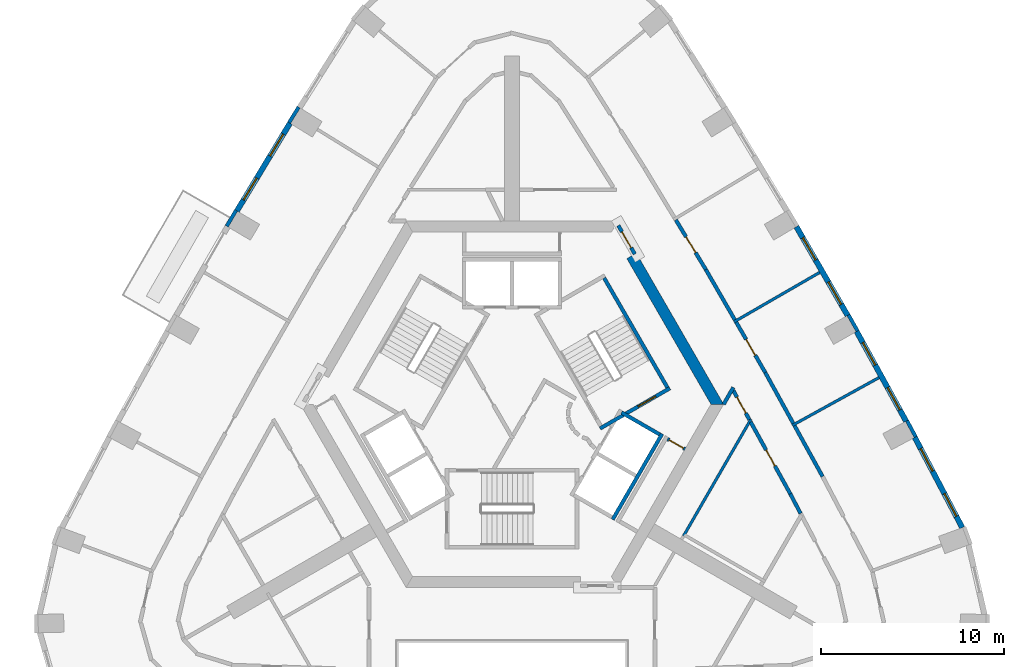
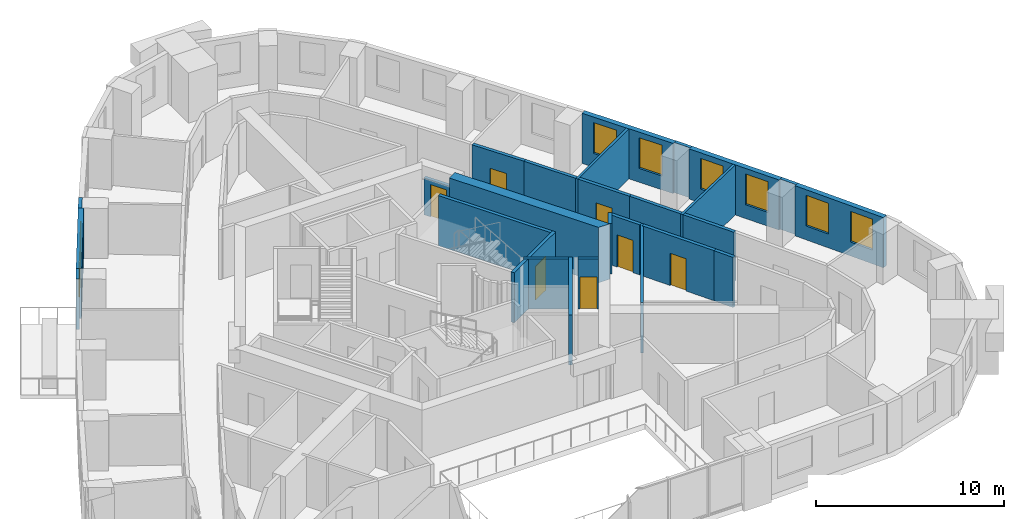
# One storey, part 7 of 11: 27 walls, 8 windows, 7 doors, 15 openings.
"""IFC4 building model written with IfcOpenShell, lengths in metres."""

from ifc_helpers import new_model, si_unit, direction, frame, frame_2d, origin, place, context, subcontext, project, spatial, polyline, rectangle, outline, extrude, material, layer, layer_set, type_object, element, fill, save


model = new_model("IFC4")

# Units and contexts
model_context = context("Model", 3, precision=1e-05, world=origin(), true_north=direction((0.0, 1.0)))
body_context = subcontext(model_context, "Body", "Model", "MODEL_VIEW")
ifc_project = project(units=[si_unit("LENGTHUNIT", "METRE"), si_unit("AREAUNIT", "SQUARE_METRE"), si_unit("VOLUMEUNIT", "CUBIC_METRE"), si_unit("PLANEANGLEUNIT", "RADIAN"), si_unit("MASSUNIT", "GRAM", prefix="KILO")], contexts=[model_context])

# Site, building, storey
site_placement = place(None, origin())
site = spatial("IfcSite", under=ifc_project, at=site_placement, CompositionType="ELEMENT")
building_placement = place(site_placement, origin())
building = spatial("IfcBuilding", under=site, at=building_placement, Name="Entoto Arch Interchange Tower", CompositionType="ELEMENT")
storey_placement = place(building_placement, frame((0.0, 0.0, 248.60009765625)))
storey = spatial("IfcBuildingStorey", under=building, at=storey_placement, Name="L56", CompositionType="ELEMENT", Elevation=248.60009765625)

# Wall, opening, door
ifc_material_1 = material(Name="Reinforced concrete C40/50", Category="concrete")
ifc_layer_1 = layer(ifc_material_1, 0.199951171875)
ifc_layer_set_1 = layer_set([ifc_layer_1], Name="Reinforced concrete C40/50")
wall_type_1 = type_object("IfcWallType", Name="CORE GAP INFILL WALL", PredefinedType="PARTITIONING", material=ifc_layer_set_1)
wall_1_placement = place(storey_placement, frame((6.698974609375, 10.697021484375, 0.0), z_axis=(0.0, 0.0, 1.0), x_axis=(-0.499914839587, 0.866074565589, 0.0)))
wall_1 = element("IfcWall", 1, at=wall_1_placement, inside=storey, type_object=wall_type_1, Name="wall:L56:gap2", PredefinedType="PARTITIONING", context=body_context, shape_type="SweptSolid", body=[
    extrude(rectangle(XDim=1.794189453125, YDim=0.199951171875, at=frame_2d((0.89697265625, 0.0))), origin(), (0.0, 0.0, 1.0), 2.39990234375),
])
opening_1_placement = place(wall_1_placement, frame((0.39697265625, 0.0, 0.0)))
opening_1 = element("IfcOpeningElement", 2, at=opening_1_placement, cuts=wall_1, Name="Opening L56-D92", PredefinedType="OPENING", context=body_context, shape_type="SweptSolid", body=[
    extrude(rectangle(XDim=1.0, YDim=2.10009765625, at=frame_2d((0.5, 1.050048828125))), frame((0.0, 0.10986328125, 0.0), z_axis=(0.0, -1.0, 0.0), x_axis=(1.0, 0.0, 0.0)), (0.0, 0.0, 1.0), 0.219970703125),
])
ifc_material_2 = material(Name="Fire-rated Steel S235 door and frame", Category="steel")
door_type_1 = type_object("IfcDoorType", Name="DOOR FD-10 1000x2100", OperationType="SINGLE_SWING_LEFT", PredefinedType="DOOR", material=ifc_material_2)
door_1_placement = place(opening_1_placement, origin())
door_1 = element("IfcDoor", 3, at=door_1_placement, inside=storey, type_object=door_type_1, Name="door:L56:gap2", OperationType="SINGLE_SWING_LEFT", OverallHeight=2.10009765625, OverallWidth=1.0, PredefinedType="DOOR", context=body_context, shape_type="SweptSolid", body=[
    extrude(rectangle(XDim=1.0, YDim=2.10009765625, at=frame_2d((0.5, 1.050048828125))), frame((0.0, 0.02490234375, 0.0), z_axis=(0.0, -1.0, 0.0), x_axis=(1.0, 0.0, 0.0)), (0.0, 0.0, 1.0), 0.050048828125),
])
fill(opening_1, door_1)

# Walls
ifc_material_3 = material(Name="Concrete C40/50", Category="concrete")
ifc_layer_2 = layer(ifc_material_3, 0.60009765625)
ifc_layer_set_2 = layer_set([ifc_layer_2], Name="Concrete C40/50")
wall_type_2 = type_object("IfcWallType", Name="Core wall 600 C40/50", PredefinedType="SHEAR", material=ifc_layer_set_2)
wall_2_placement = place(storey_placement, frame((0.0, 0.0, -0.340087890625)))
element("IfcWall", 4, at=wall_2_placement, inside=storey, type_object=wall_type_2, Name="Core wall NE L56", PredefinedType="SHEAR", context=body_context, shape_type="SweptSolid", body=[
    extrude(outline(polyline([(6.785888671875, 10.7470703125), (6.26611328125, 10.447021484375), (10.85400390625, 2.5), (11.547119140625, 2.5), (6.785888671875, 10.7470703125)])), origin(), (0.0, 0.0, 1.0), 3.60009765625),
])
ifc_layer_3 = layer(ifc_material_3, 0.199951171875)
ifc_layer_set_3 = layer_set([ifc_layer_3], Name="Concrete C40/50")
wall_type_3 = type_object("IfcWallType", Name="LIFT SHAFT WALL 200", PredefinedType="STANDARD", material=ifc_layer_set_3)
wall_3_placement = place(storey_placement, frame((5.491943359375, -3.7880859375, 0.0), z_axis=(0.0, 0.0, 1.0), x_axis=(0.500034260056, 0.866005622828, 0.0)))
element("IfcWall", 5, at=wall_3_placement, inside=storey, type_object=wall_type_3, Name="Shaft wall SE1 back", PredefinedType="STANDARD", context=body_context, shape_type="SweptSolid", body=[
    extrude(rectangle(XDim=5.3994140625, YDim=0.199951171875, at=frame_2d((2.69970703125, 0.0))), origin(), (0.0, 0.0, 1.0), 3.260009765625),
])
wall_4_placement = place(storey_placement, frame((5.97705078125, 2.052001953125, 0.0), z_axis=(0.0, 0.0, 1.0), x_axis=(0.865973769406, -0.500089422704, 0.0)))
element("IfcWall", 6, at=wall_4_placement, inside=storey, type_object=wall_type_3, Name="Shaft wall SE1 cross 3", PredefinedType="STANDARD", context=body_context, shape_type="SweptSolid", body=[
    extrude(rectangle(XDim=2.3994140625, YDim=0.199951171875, at=frame_2d((1.19970703125, 0.0))), origin(), (0.0, 0.0, 1.0), 3.260009765625),
])
ifc_material_4 = material(Name="Gypsum board partition on steel studs", Category="steel")
ifc_layer_4 = layer(ifc_material_4, 0.14990234375)
ifc_layer_set_4 = layer_set([ifc_layer_4], Name="Gypsum board partition on steel studs")
wall_type_4 = type_object("IfcWallType", Name="PARTITION 150", PredefinedType="PARTITIONING", material=ifc_layer_set_4)
wall_5_placement = place(storey_placement, frame((9.35791015625, -4.69189453125, 0.0), z_axis=(0.0, 0.0, 1.0), x_axis=(0.500027777314, 0.866009365951, 0.0)))
element("IfcWall", 7, at=wall_5_placement, inside=storey, type_object=wall_type_4, Name="wall:L56:p074", PredefinedType="PARTITIONING", context=body_context, shape_type="SweptSolid", body=[
    extrude(rectangle(XDim=7.35986328125, YDim=0.14990234375, at=frame_2d((3.679931640625, 0.0))), origin(), (0.0, 0.0, 1.0), 3.260009765625),
])
wall_6_placement = place(storey_placement, frame((15.294921875, 1.346923828125, 0.0), z_axis=(0.0, 0.0, 1.0), x_axis=(0.875728645362, 0.482803624358, 0.0)))
element("IfcWall", 8, at=wall_6_placement, inside=storey, type_object=wall_type_4, Name="wall:L56:p105", PredefinedType="PARTITIONING", context=body_context, shape_type="SweptSolid", body=[
    extrude(rectangle(XDim=5.400146484375, YDim=0.14990234375, at=frame_2d((2.7001953125, 0.0))), origin(), (0.0, 0.0, 1.0), 3.260009765625),
])
wall_7_placement = place(storey_placement, frame((12.110107421875, 6.991943359375, 0.0), z_axis=(0.0, 0.0, 1.0), x_axis=(0.865994316829, 0.50005384032, 0.0)))
element("IfcWall", 9, at=wall_7_placement, inside=storey, type_object=wall_type_4, Name="wall:L56:p106", PredefinedType="PARTITIONING", context=body_context, shape_type="SweptSolid", body=[
    extrude(rectangle(XDim=5.3994140625, YDim=0.14990234375, at=frame_2d((2.69970703125, 0.0))), origin(), (0.0, 0.0, 1.0), 3.260009765625),
])

# Wall, opening, door
ifc_layer_5 = layer(ifc_material_4, 0.199951171875)
ifc_layer_set_5 = layer_set([ifc_layer_5], Name="Gypsum board partition on steel studs")
wall_type_5 = type_object("IfcWallType", Name="PARTITION 200", PredefinedType="PARTITIONING", material=ifc_layer_set_5)
wall_8_placement = place(storey_placement, frame((12.951904296875, 1.660888671875, 0.0), z_axis=(0.0, 0.0, 1.0), x_axis=(-0.482707835392, 0.875781448566, 0.0)))
wall_8 = element("IfcWall", 10, at=wall_8_placement, inside=storey, type_object=wall_type_5, Name="wall:L56:p004", PredefinedType="PARTITIONING", context=body_context, shape_type="SweptSolid", body=[
    extrude(rectangle(XDim=1.816650390625, YDim=0.199951171875, at=frame_2d((0.908203125, 0.0))), origin(), (0.0, 0.0, 1.0), 3.260009765625),
])
opening_2_placement = place(wall_8_placement, frame((0.407958984375, 0.0, 0.0)))
opening_2 = element("IfcOpeningElement", 11, at=opening_2_placement, cuts=wall_8, Name="Opening L56-D25", PredefinedType="OPENING", context=body_context, shape_type="SweptSolid", body=[
    extrude(rectangle(XDim=1.0, YDim=2.10009765625, at=frame_2d((0.5, 1.050048828125))), frame((0.0, 0.10986328125, 0.0), z_axis=(0.0, -1.0, 0.0), x_axis=(1.0, 0.0, 0.0)), (0.0, 0.0, 1.0), 0.219970703125),
])
ifc_material_5 = material(Name="Timber door leaf in Steel S235 frame", Category="steel")
door_type_2 = type_object("IfcDoorType", Name="DOOR DS-10 1000x2100", OperationType="SINGLE_SWING_LEFT", PredefinedType="DOOR", material=ifc_material_5)
door_2_placement = place(opening_2_placement, origin())
door_2 = element("IfcDoor", 12, at=door_2_placement, inside=storey, type_object=door_type_2, Name="door:L56:25", OperationType="SINGLE_SWING_RIGHT", OverallHeight=2.10009765625, OverallWidth=1.0, PredefinedType="DOOR", context=body_context, shape_type="SweptSolid", body=[
    extrude(rectangle(XDim=1.0, YDim=2.10009765625, at=frame_2d((0.5, 1.050048828125))), frame((0.0, 0.02490234375, 0.0), z_axis=(0.0, -1.0, 0.0), x_axis=(1.0, 0.0, 0.0)), (0.0, 0.0, 1.0), 0.050048828125),
])
fill(opening_2, door_2)

# Walls
wall_9_placement = place(storey_placement, frame((12.0791015625, 3.4189453125, 0.0), z_axis=(0.0, 0.0, 1.0), x_axis=(-0.500674759037, -0.865635480825, 0.0)))
element("IfcWall", 13, at=wall_9_placement, inside=storey, type_object=wall_type_5, Name="wall:L56:p005", PredefinedType="PARTITIONING", context=body_context, shape_type="SweptSolid", body=[
    extrude(rectangle(XDim=1.06494140625, YDim=0.199951171875, at=frame_2d((0.532470703125, 0.0))), origin(), (0.0, 0.0, 1.0), 3.260009765625),
])
wall_10_placement = place(storey_placement, frame((15.74609375, -3.4580078125, 0.0), z_axis=(0.0, 0.0, 1.0), x_axis=(-0.464794189951, 0.885418748948, 0.0)))
element("IfcWall", 14, at=wall_10_placement, inside=storey, type_object=wall_type_5, Name="wall:L56:p014", PredefinedType="PARTITIONING", context=body_context, shape_type="SweptSolid", body=[
    extrude(rectangle(XDim=1.205078125, YDim=0.199951171875, at=frame_2d((0.6025390625, 0.0))), origin(), (0.0, 0.0, 1.0), 3.260009765625),
])

# Wall, opening, door
wall_11_placement = place(storey_placement, frame((15.18603515625, -2.39111328125, 0.0), z_axis=(0.0, 0.0, 1.0), x_axis=(-0.482858240592, 0.875698532311, 0.0)))
wall_11 = element("IfcWall", 15, at=wall_11_placement, inside=storey, type_object=wall_type_5, Name="wall:L56:p015", PredefinedType="PARTITIONING", context=body_context, shape_type="SweptSolid", body=[
    extrude(rectangle(XDim=4.477783203125, YDim=0.199951171875, at=frame_2d((2.23876953125, 0.0))), origin(), (0.0, 0.0, 1.0), 3.260009765625),
])
opening_3_placement = place(wall_11_placement, frame((1.739013671875, 0.0, 0.0)))
opening_3 = element("IfcOpeningElement", 16, at=opening_3_placement, cuts=wall_11, Name="Opening L56-D15", PredefinedType="OPENING", context=body_context, shape_type="SweptSolid", body=[
    extrude(rectangle(XDim=1.0, YDim=2.10009765625, at=frame_2d((0.5, 1.050048828125))), frame((0.0, 0.10986328125, 0.0), z_axis=(0.0, -1.0, 0.0), x_axis=(1.0, 0.0, 0.0)), (0.0, 0.0, 1.0), 0.219970703125),
])
door_3_placement = place(opening_3_placement, origin())
door_3 = element("IfcDoor", 17, at=door_3_placement, inside=storey, type_object=door_type_2, Name="door:L56:15", OperationType="SINGLE_SWING_LEFT", OverallHeight=2.10009765625, OverallWidth=1.0, PredefinedType="DOOR", context=body_context, shape_type="SweptSolid", body=[
    extrude(rectangle(XDim=1.0, YDim=2.10009765625, at=frame_2d((0.5, 1.050048828125))), frame((0.0, 0.02490234375, 0.0), z_axis=(0.0, -1.0, 0.0), x_axis=(1.0, 0.0, 0.0)), (0.0, 0.0, 1.0), 0.050048828125),
])
fill(opening_3, door_3)

# Wall
wall_12_placement = place(storey_placement, frame((15.41796875, 1.330078125, 0.0), z_axis=(0.0, 0.0, 1.0), x_axis=(0.482838875149, -0.875709210095, 0.0)))
element("IfcWall", 18, at=wall_12_placement, inside=storey, type_object=wall_type_5, Name="wall:L56:p039", PredefinedType="PARTITIONING", context=body_context, shape_type="SweptSolid", body=[
    extrude(rectangle(XDim=3.166748046875, YDim=0.199951171875, at=frame_2d((1.58349609375, 0.0))), origin(), (0.0, 0.0, 1.0), 3.260009765625),
])

# Wall, opening, door
wall_13_placement = place(storey_placement, frame((12.23388671875, 6.97705078125, 0.0), z_axis=(0.0, 0.0, 1.0), x_axis=(0.499820325382, -0.866129114125, 0.0)))
wall_13 = element("IfcWall", 19, at=wall_13_placement, inside=storey, type_object=wall_type_5, Name="wall:L56:p041", PredefinedType="PARTITIONING", context=body_context, shape_type="SweptSolid", body=[
    extrude(rectangle(XDim=3.167236328125, YDim=0.199951171875, at=frame_2d((1.58349609375, 0.0))), origin(), (0.0, 0.0, 1.0), 3.260009765625),
])
opening_4_placement = place(wall_13_placement, frame((1.083984375, 0.0, 0.0)))
opening_4 = element("IfcOpeningElement", 20, at=opening_4_placement, cuts=wall_13, Name="Opening L56-D04", PredefinedType="OPENING", context=body_context, shape_type="SweptSolid", body=[
    extrude(rectangle(XDim=1.0, YDim=2.10009765625, at=frame_2d((0.5, 1.050048828125))), frame((0.0, 0.10986328125, 0.0), z_axis=(0.0, -1.0, 0.0), x_axis=(1.0, 0.0, 0.0)), (0.0, 0.0, 1.0), 0.219970703125),
])
door_4_placement = place(opening_4_placement, origin())
door_4 = element("IfcDoor", 21, at=door_4_placement, inside=storey, type_object=door_type_2, Name="door:L56:04", OperationType="SINGLE_SWING_LEFT", OverallHeight=2.10009765625, OverallWidth=1.0, PredefinedType="DOOR", context=body_context, shape_type="SweptSolid", body=[
    extrude(rectangle(XDim=1.0, YDim=2.10009765625, at=frame_2d((0.5, 1.050048828125))), frame((0.0, 0.02490234375, 0.0), z_axis=(0.0, -1.0, 0.0), x_axis=(1.0, 0.0, 0.0)), (0.0, 0.0, 1.0), 0.050048828125),
])
fill(opening_4, door_4)

# Wall
wall_14_placement = place(storey_placement, frame((13.81689453125, 4.23388671875, 0.0), z_axis=(0.0, 0.0, 1.0), x_axis=(0.482871474341, -0.875691235121, 0.0)))
element("IfcWall", 22, at=wall_14_placement, inside=storey, type_object=wall_type_5, Name="wall:L56:p042", PredefinedType="PARTITIONING", context=body_context, shape_type="SweptSolid", body=[
    extrude(rectangle(XDim=3.16650390625, YDim=0.199951171875, at=frame_2d((1.583251953125, 0.0))), origin(), (0.0, 0.0, 1.0), 3.260009765625),
])

# Wall, opening, door
wall_15_placement = place(storey_placement, frame((8.93896484375, 12.55908203125, 0.0), z_axis=(0.0, 0.0, 1.0), x_axis=(0.517045022441, -0.855958202699, 0.0)))
wall_15 = element("IfcWall", 23, at=wall_15_placement, inside=storey, type_object=wall_type_5, Name="wall:L56:p043", PredefinedType="PARTITIONING", context=body_context, shape_type="SweptSolid", body=[
    extrude(rectangle(XDim=3.166015625, YDim=0.199951171875, at=frame_2d((1.5830078125, 0.0))), origin(), (0.0, 0.0, 1.0), 3.260009765625),
])
opening_5_placement = place(wall_15_placement, frame((1.0830078125, 0.0, 0.0)))
opening_5 = element("IfcOpeningElement", 24, at=opening_5_placement, cuts=wall_15, Name="Opening L56-D05", PredefinedType="OPENING", context=body_context, shape_type="SweptSolid", body=[
    extrude(rectangle(XDim=1.0, YDim=2.10009765625, at=frame_2d((0.5, 1.050048828125))), frame((0.0, 0.10986328125, 0.0), z_axis=(0.0, -1.0, 0.0), x_axis=(1.0, 0.0, 0.0)), (0.0, 0.0, 1.0), 0.219970703125),
])
door_5_placement = place(opening_5_placement, origin())
door_5 = element("IfcDoor", 25, at=door_5_placement, inside=storey, type_object=door_type_2, Name="door:L56:05", OperationType="SINGLE_SWING_LEFT", OverallHeight=2.10009765625, OverallWidth=1.0, PredefinedType="DOOR", context=body_context, shape_type="SweptSolid", body=[
    extrude(rectangle(XDim=1.0, YDim=2.10009765625, at=frame_2d((0.5, 1.050048828125))), frame((0.0, 0.02490234375, 0.0), z_axis=(0.0, -1.0, 0.0), x_axis=(1.0, 0.0, 0.0)), (0.0, 0.0, 1.0), 0.050048828125),
])
fill(opening_5, door_5)

# Wall
wall_16_placement = place(storey_placement, frame((10.575927734375, 9.84912109375, 0.0), z_axis=(0.0, 0.0, 1.0), x_axis=(0.499953838557, -0.866052053466, 0.0)))
element("IfcWall", 26, at=wall_16_placement, inside=storey, type_object=wall_type_5, Name="wall:L56:p044", PredefinedType="PARTITIONING", context=body_context, shape_type="SweptSolid", body=[
    extrude(rectangle(XDim=3.166259765625, YDim=0.199951171875, at=frame_2d((1.5830078125, 0.0))), origin(), (0.0, 0.0, 1.0), 3.260009765625),
])

# Wall, opening, door
wall_17_placement = place(storey_placement, frame((8.488037109375, 0.60205078125, 0.0), z_axis=(0.0, 0.0, 1.0), x_axis=(0.866063652425, -0.499933745558, 0.0)))
wall_17 = element("IfcWall", 27, at=wall_17_placement, inside=storey, type_object=wall_type_5, Name="wall:L56:p066", PredefinedType="PARTITIONING", context=body_context, shape_type="SweptSolid", body=[
    extrude(rectangle(XDim=1.100341796875, YDim=0.199951171875, at=frame_2d((0.55029296875, 0.0))), origin(), (0.0, 0.0, 1.0), 3.260009765625),
])
opening_6_placement = place(wall_17_placement, frame((0.10009765625, 0.0, 0.0)))
opening_6 = element("IfcOpeningElement", 28, at=opening_6_placement, cuts=wall_17, Name="Opening L56-D29", PredefinedType="OPENING", context=body_context, shape_type="SweptSolid", body=[
    extrude(rectangle(XDim=0.89990234375, YDim=2.10009765625, at=frame_2d((0.449951171875, 1.050048828125))), frame((0.0, 0.10986328125, 0.0), z_axis=(0.0, -1.0, 0.0), x_axis=(1.0, 0.0, 0.0)), (0.0, 0.0, 1.0), 0.219970703125),
])
door_type_3 = type_object("IfcDoorType", Name="DOOR DS-09 900x2100", OperationType="SINGLE_SWING_LEFT", PredefinedType="DOOR", material=ifc_material_5)
door_6_placement = place(opening_6_placement, origin())
door_6 = element("IfcDoor", 29, at=door_6_placement, inside=storey, type_object=door_type_3, Name="door:L56:29", OperationType="SINGLE_SWING_RIGHT", OverallHeight=2.10009765625, OverallWidth=0.89990234375, PredefinedType="DOOR", context=body_context, shape_type="SweptSolid", body=[
    extrude(rectangle(XDim=0.89990234375, YDim=2.10009765625, at=frame_2d((0.449951171875, 1.050048828125))), frame((0.0, 0.02490234375, 0.0), z_axis=(0.0, -1.0, 0.0), x_axis=(1.0, 0.0, 0.0)), (0.0, 0.0, 1.0), 0.050048828125),
])
fill(opening_6, door_6)

ifc_layer_6 = layer(ifc_material_3, 0.199951171875)
ifc_layer_set_6 = layer_set([ifc_layer_6], Name="Concrete C40/50")
wall_type_6 = type_object("IfcWallType", Name="STAIR ENCLOSURE WALL 200", PredefinedType="STANDARD", material=ifc_layer_set_6)
wall_18_placement = place(storey_placement, frame((4.805908203125, 1.176025390625, 0.0), z_axis=(0.0, 0.0, 1.0), x_axis=(0.866059941101, 0.499940174841, 0.0)))
wall_18 = element("IfcWall", 30, at=wall_18_placement, inside=storey, type_object=wall_type_6, Name="Stair wall ST-NE near", PredefinedType="STANDARD", context=body_context, shape_type="SweptSolid", body=[
    extrude(rectangle(XDim=4.400390625, YDim=0.199951171875, at=frame_2d((2.2001953125, 0.0))), origin(), (0.0, 0.0, 1.0), 3.260009765625),
])
opening_7_placement = place(wall_18_placement, frame((2.39990234375, 0.0, 0.0)))
opening_7 = element("IfcOpeningElement", 31, at=opening_7_placement, cuts=wall_18, Name="Opening SD-ST-NE-L56-E", PredefinedType="OPENING", context=body_context, shape_type="SweptSolid", body=[
    extrude(rectangle(XDim=1.10009765625, YDim=2.199951171875, at=frame_2d((0.550048828125, 1.10009765625))), frame((0.0, 0.10986328125, 0.0), z_axis=(0.0, -1.0, 0.0), x_axis=(1.0, 0.0, 0.0)), (0.0, 0.0, 1.0), 0.219970703125),
])
ifc_material_6 = material(Name="Steel S235", Category="steel")
door_type_4 = type_object("IfcDoorType", Name="STAIR DOOR SD1 1100x2200", OperationType="SINGLE_SWING_LEFT", PredefinedType="DOOR", material=ifc_material_6)
door_7_placement = place(opening_7_placement, origin())
door_7 = element("IfcDoor", 32, at=door_7_placement, inside=storey, type_object=door_type_4, Name="Stair door ST-NE L56 end", OperationType="SINGLE_SWING_LEFT", OverallHeight=2.199951171875, OverallWidth=1.10009765625, PredefinedType="DOOR", context=body_context, shape_type="SweptSolid", body=[
    extrude(rectangle(XDim=1.10009765625, YDim=2.199951171875, at=frame_2d((0.550048828125, 1.10009765625))), frame((0.0, 0.02490234375, 0.0), z_axis=(0.0, -1.0, 0.0), x_axis=(1.0, 0.0, 0.0)), (0.0, 0.0, 1.0), 0.050048828125),
])
fill(opening_7, door_7)

# Wall
wall_19_placement = place(storey_placement, frame((8.47998046875, 3.412109375, 0.0), z_axis=(0.0, 0.0, 1.0), x_axis=(-0.499978703459, 0.866037698999, 0.0)))
element("IfcWall", 33, at=wall_19_placement, inside=storey, type_object=wall_type_6, Name="Stair wall ST-NE back", PredefinedType="STANDARD", context=body_context, shape_type="SweptSolid", body=[
    extrude(rectangle(XDim=6.900146484375, YDim=0.199951171875, at=frame_2d((3.4501953125, 0.0))), origin(), (0.0, 0.0, 1.0), 3.260009765625),
])

# Wall, openings, windows
ifc_material_7 = material(Name="Welded tuff (ignimbrite) cladding, warm buff", Category="masonry")
ifc_layer_7 = layer(ifc_material_7, 0.300048828125)
ifc_layer_set_7 = layer_set([ifc_layer_7], Name="Welded tuff (ignimbrite) cladding, warm buff")
wall_type_7 = type_object("IfcWallType", Name="STONE INFILL WALL 300", PredefinedType="STANDARD", material=ifc_layer_set_7)
wall_20_placement = place(storey_placement, frame((24.570068359375, -4.23388671875, 0.0), z_axis=(0.0, 0.0, 1.0), x_axis=(-0.465228032148, 0.885190871001, 0.0)))
wall_20 = element("IfcWall", 34, at=wall_20_placement, inside=storey, type_object=wall_type_7, Name="Facade wall NE-01 L56", PredefinedType="STANDARD", context=body_context, shape_type="SweptSolid", body=[
    extrude(rectangle(XDim=5.571533203125, YDim=0.300048828125, at=frame_2d((2.78564453125, 0.0))), origin(), (0.0, 0.0, 1.0), 3.260009765625),
])
opening_8_placement = place(wall_20_placement, frame((0.693115234375, 0.0, 0.89990234375)))
opening_8 = element("IfcOpeningElement", 35, at=opening_8_placement, cuts=wall_20, Name="Opening WH-B", PredefinedType="OPENING", context=body_context, shape_type="SweptSolid", body=[
    extrude(rectangle(XDim=1.39990234375, YDim=2.0, at=frame_2d((0.699951171875, 1.0))), frame((0.0, 0.16015625, 0.0), z_axis=(0.0, -1.0, 0.0), x_axis=(1.0, 0.0, 0.0)), (0.0, 0.0, 1.0), 0.320068359375),
])
opening_9_placement = place(wall_20_placement, frame((3.47900390625, 0.0, 0.89990234375)))
opening_9 = element("IfcOpeningElement", 36, at=opening_9_placement, cuts=wall_20, Name="Opening WH-B", PredefinedType="OPENING", context=body_context, shape_type="SweptSolid", body=[
    extrude(rectangle(XDim=1.39990234375, YDim=2.0, at=frame_2d((0.699951171875, 1.0))), frame((0.0, 0.16015625, 0.0), z_axis=(0.0, -1.0, 0.0), x_axis=(1.0, 0.0, 0.0)), (0.0, 0.0, 1.0), 0.320068359375),
])
ifc_material_8 = material(Name="Clear glass, low-e double glazed", Category="glass")
window_type = type_object("IfcWindowType", Name="WINDOW WH-B 1400x2000", PartitioningType="DOUBLE_PANEL_VERTICAL", PredefinedType="WINDOW", material=ifc_material_8)
window_1_placement = place(opening_8_placement, origin())
window_1 = element("IfcWindow", 37, at=window_1_placement, inside=storey, type_object=window_type, Name="Window WH-B NE-01 L56", OverallHeight=2.0, OverallWidth=1.39990234375, PartitioningType="SINGLE_PANEL", PredefinedType="WINDOW", context=body_context, shape_type="SweptSolid", body=[
    extrude(rectangle(XDim=1.39990234375, YDim=2.0, at=frame_2d((0.699951171875, 1.0))), frame((0.0, 0.030029296875, 0.0), z_axis=(0.0, -1.0, 0.0), x_axis=(1.0, 0.0, 0.0)), (0.0, 0.0, 1.0), 0.06005859375),
])
fill(opening_8, window_1)
window_2_placement = place(opening_9_placement, origin())
window_2 = element("IfcWindow", 38, at=window_2_placement, inside=storey, type_object=window_type, Name="Window WH-B NE-01 L56", OverallHeight=2.0, OverallWidth=1.39990234375, PartitioningType="SINGLE_PANEL", PredefinedType="WINDOW", context=body_context, shape_type="SweptSolid", body=[
    extrude(rectangle(XDim=1.39990234375, YDim=2.0, at=frame_2d((0.699951171875, 1.0))), frame((0.0, 0.030029296875, 0.0), z_axis=(0.0, -1.0, 0.0), x_axis=(1.0, 0.0, 0.0)), (0.0, 0.0, 1.0), 0.06005859375),
])
fill(opening_9, window_2)

wall_21_placement = place(storey_placement, frame((21.5048828125, 1.576904296875, 0.0), z_axis=(0.0, 0.0, 1.0), x_axis=(-0.482734585173, 0.875766704253, 0.0)))
wall_21 = element("IfcWall", 39, at=wall_21_placement, inside=storey, type_object=wall_type_7, Name="Facade wall NE-02 L56", PredefinedType="STANDARD", context=body_context, shape_type="SweptSolid", body=[
    extrude(rectangle(XDim=5.593017578125, YDim=0.300048828125, at=frame_2d((2.79638671875, 0.0))), origin(), (0.0, 0.0, 1.0), 3.260009765625),
])
opening_10_placement = place(wall_21_placement, frame((0.697998046875, 0.0, 0.89990234375)))
opening_10 = element("IfcOpeningElement", 40, at=opening_10_placement, cuts=wall_21, Name="Opening WH-B", PredefinedType="OPENING", context=body_context, shape_type="SweptSolid", body=[
    extrude(rectangle(XDim=1.39990234375, YDim=2.0, at=frame_2d((0.699951171875, 1.0))), frame((0.0, 0.16015625, 0.0), z_axis=(0.0, -1.0, 0.0), x_axis=(1.0, 0.0, 0.0)), (0.0, 0.0, 1.0), 0.320068359375),
])
opening_11_placement = place(wall_21_placement, frame((3.4951171875, 0.0, 0.89990234375)))
opening_11 = element("IfcOpeningElement", 41, at=opening_11_placement, cuts=wall_21, Name="Opening WH-B", PredefinedType="OPENING", context=body_context, shape_type="SweptSolid", body=[
    extrude(rectangle(XDim=1.39990234375, YDim=2.0, at=frame_2d((0.699951171875, 1.0))), frame((0.0, 0.16015625, 0.0), z_axis=(0.0, -1.0, 0.0), x_axis=(1.0, 0.0, 0.0)), (0.0, 0.0, 1.0), 0.320068359375),
])
window_3_placement = place(opening_10_placement, origin())
window_3 = element("IfcWindow", 42, at=window_3_placement, inside=storey, type_object=window_type, Name="Window WH-B NE-02 L56", OverallHeight=2.0, OverallWidth=1.39990234375, PartitioningType="SINGLE_PANEL", PredefinedType="WINDOW", context=body_context, shape_type="SweptSolid", body=[
    extrude(rectangle(XDim=1.39990234375, YDim=2.0, at=frame_2d((0.699951171875, 1.0))), frame((0.0, 0.030029296875, 0.0), z_axis=(0.0, -1.0, 0.0), x_axis=(1.0, 0.0, 0.0)), (0.0, 0.0, 1.0), 0.06005859375),
])
fill(opening_10, window_3)
window_4_placement = place(opening_11_placement, origin())
window_4 = element("IfcWindow", 43, at=window_4_placement, inside=storey, type_object=window_type, Name="Window WH-B NE-02 L56", OverallHeight=2.0, OverallWidth=1.39990234375, PartitioningType="SINGLE_PANEL", PredefinedType="WINDOW", context=body_context, shape_type="SweptSolid", body=[
    extrude(rectangle(XDim=1.39990234375, YDim=2.0, at=frame_2d((0.699951171875, 1.0))), frame((0.0, 0.030029296875, 0.0), z_axis=(0.0, -1.0, 0.0), x_axis=(1.0, 0.0, 0.0)), (0.0, 0.0, 1.0), 0.06005859375),
])
fill(opening_11, window_4)

wall_22_placement = place(storey_placement, frame((18.31494140625, 7.343994140625, 0.0), z_axis=(0.0, 0.0, 1.0), x_axis=(-0.49995037644, 0.866054052065, 0.0)))
wall_22 = element("IfcWall", 44, at=wall_22_placement, inside=storey, type_object=wall_type_7, Name="Facade wall NE-03 L56", PredefinedType="STANDARD", context=body_context, shape_type="SweptSolid", body=[
    extrude(rectangle(XDim=5.59423828125, YDim=0.300048828125, at=frame_2d((2.797119140625, 0.0))), origin(), (0.0, 0.0, 1.0), 3.260009765625),
])
opening_12_placement = place(wall_22_placement, frame((0.698974609375, 0.0, 0.89990234375)))
opening_12 = element("IfcOpeningElement", 45, at=opening_12_placement, cuts=wall_22, Name="Opening WH-B", PredefinedType="OPENING", context=body_context, shape_type="SweptSolid", body=[
    extrude(rectangle(XDim=1.39990234375, YDim=2.0, at=frame_2d((0.699951171875, 1.0))), frame((0.0, 0.16015625, 0.0), z_axis=(0.0, -1.0, 0.0), x_axis=(1.0, 0.0, 0.0)), (0.0, 0.0, 1.0), 0.320068359375),
])
opening_13_placement = place(wall_22_placement, frame((3.49609375, 0.0, 0.89990234375)))
opening_13 = element("IfcOpeningElement", 46, at=opening_13_placement, cuts=wall_22, Name="Opening WH-B", PredefinedType="OPENING", context=body_context, shape_type="SweptSolid", body=[
    extrude(rectangle(XDim=1.39990234375, YDim=2.0, at=frame_2d((0.699951171875, 1.0))), frame((0.0, 0.16015625, 0.0), z_axis=(0.0, -1.0, 0.0), x_axis=(1.0, 0.0, 0.0)), (0.0, 0.0, 1.0), 0.320068359375),
])
window_5_placement = place(opening_12_placement, origin())
window_5 = element("IfcWindow", 47, at=window_5_placement, inside=storey, type_object=window_type, Name="Window WH-B NE-03 L56", OverallHeight=2.0, OverallWidth=1.39990234375, PartitioningType="SINGLE_PANEL", PredefinedType="WINDOW", context=body_context, shape_type="SweptSolid", body=[
    extrude(rectangle(XDim=1.39990234375, YDim=2.0, at=frame_2d((0.699951171875, 1.0))), frame((0.0, 0.030029296875, 0.0), z_axis=(0.0, -1.0, 0.0), x_axis=(1.0, 0.0, 0.0)), (0.0, 0.0, 1.0), 0.06005859375),
])
fill(opening_12, window_5)
window_6_placement = place(opening_13_placement, origin())
window_6 = element("IfcWindow", 48, at=window_6_placement, inside=storey, type_object=window_type, Name="Window WH-B NE-03 L56", OverallHeight=2.0, OverallWidth=1.39990234375, PartitioningType="SINGLE_PANEL", PredefinedType="WINDOW", context=body_context, shape_type="SweptSolid", body=[
    extrude(rectangle(XDim=1.39990234375, YDim=2.0, at=frame_2d((0.699951171875, 1.0))), frame((0.0, 0.030029296875, 0.0), z_axis=(0.0, -1.0, 0.0), x_axis=(1.0, 0.0, 0.0)), (0.0, 0.0, 1.0), 0.06005859375),
])
fill(opening_13, window_6)

wall_23_placement = place(storey_placement, frame((-12.117919921875, 17.8359375, 0.0), z_axis=(0.0, 0.0, 1.0), x_axis=(-0.517169592475, -0.855882943293, 0.0)))
wall_23 = element("IfcWall", 49, at=wall_23_placement, inside=storey, type_object=wall_type_7, Name="Facade wall NW-02 L56", PredefinedType="STANDARD", context=body_context, shape_type="SweptSolid", body=[
    extrude(rectangle(XDim=5.593994140625, YDim=0.300048828125, at=frame_2d((2.796875, 0.0))), origin(), (0.0, 0.0, 1.0), 3.260009765625),
])
opening_14_placement = place(wall_23_placement, frame((0.698974609375, 0.0, 0.89990234375)))
opening_14 = element("IfcOpeningElement", 50, at=opening_14_placement, cuts=wall_23, Name="Opening WH-B", PredefinedType="OPENING", context=body_context, shape_type="SweptSolid", body=[
    extrude(rectangle(XDim=1.39990234375, YDim=2.0, at=frame_2d((0.699951171875, 1.0))), frame((0.0, 0.16015625, 0.0), z_axis=(0.0, -1.0, 0.0), x_axis=(1.0, 0.0, 0.0)), (0.0, 0.0, 1.0), 0.320068359375),
])
opening_15_placement = place(wall_23_placement, frame((3.49609375, 0.0, 0.89990234375)))
opening_15 = element("IfcOpeningElement", 51, at=opening_15_placement, cuts=wall_23, Name="Opening WH-B", PredefinedType="OPENING", context=body_context, shape_type="SweptSolid", body=[
    extrude(rectangle(XDim=1.39990234375, YDim=2.0, at=frame_2d((0.699951171875, 1.0))), frame((0.0, 0.16015625, 0.0), z_axis=(0.0, -1.0, 0.0), x_axis=(1.0, 0.0, 0.0)), (0.0, 0.0, 1.0), 0.320068359375),
])
window_7_placement = place(opening_14_placement, origin())
window_7 = element("IfcWindow", 52, at=window_7_placement, inside=storey, type_object=window_type, Name="Window WH-B NW-02 L56", OverallHeight=2.0, OverallWidth=1.39990234375, PartitioningType="SINGLE_PANEL", PredefinedType="WINDOW", context=body_context, shape_type="SweptSolid", body=[
    extrude(rectangle(XDim=1.39990234375, YDim=2.0, at=frame_2d((0.699951171875, 1.0))), frame((0.0, 0.030029296875, 0.0), z_axis=(0.0, -1.0, 0.0), x_axis=(1.0, 0.0, 0.0)), (0.0, 0.0, 1.0), 0.06005859375),
])
fill(opening_14, window_7)
window_8_placement = place(opening_15_placement, origin())
window_8 = element("IfcWindow", 53, at=window_8_placement, inside=storey, type_object=window_type, Name="Window WH-B NW-02 L56", OverallHeight=2.0, OverallWidth=1.39990234375, PartitioningType="SINGLE_PANEL", PredefinedType="WINDOW", context=body_context, shape_type="SweptSolid", body=[
    extrude(rectangle(XDim=1.39990234375, YDim=2.0, at=frame_2d((0.699951171875, 1.0))), frame((0.0, 0.030029296875, 0.0), z_axis=(0.0, -1.0, 0.0), x_axis=(1.0, 0.0, 0.0)), (0.0, 0.0, 1.0), 0.06005859375),
])
fill(opening_15, window_8)

# Walls
ifc_layer_8 = layer(ifc_material_7, 0.199951171875)
ifc_layer_set_8 = layer_set([ifc_layer_8], Name="Welded tuff (ignimbrite) cladding, warm buff")
wall_type_8 = type_object("IfcWallType", Name="STONE PIER CLADDING 200", PredefinedType="STANDARD", material=ifc_layer_set_8)
for number, where, z_axis, x_axis, name in (
    (54, (22.027099609375, 0.722900390625, 0.0), (0.0, 0.0, 1.0), (-0.473852444207, 0.880604259085, 0.0), "Stone pier NE02 L56"),
    (55, (18.85400390625, 6.5009765625, 0.0), (0.0, 0.0, 1.0), (-0.491743606947, 0.87074004446, 0.0), "Stone pier NE03 L56"),
    (56, (-11.639892578125, 18.715087890625, 0.0), (0.0, 0.0, 1.0), (-0.525825307325, -0.850592585306, 0.0), "Stone pier NW02 L56"),
):
    element("IfcWall", number, at=place(storey_placement, frame(where, z_axis=z_axis, x_axis=x_axis)), inside=storey, type_object=wall_type_8, Name=name, PredefinedType="STANDARD", context=body_context, shape_type="SweptSolid", body=[
        extrude(rectangle(XDim=1.00048828125, YDim=0.199951171875, at=frame_2d((0.500244140625, 0.0))), origin(), (0.0, 0.0, 1.0), 3.260009765625),
    ])
wall_24_placement = place(storey_placement, frame((-15.05810546875, 13.076904296875, 0.0), z_axis=(0.0, 0.0, 1.0), x_axis=(-0.508087253435, -0.86130560366, 0.0)))
element("IfcWall", 57, at=wall_24_placement, inside=storey, type_object=wall_type_8, Name="Stone pier NW03 L56", PredefinedType="STANDARD", context=body_context, shape_type="SweptSolid", body=[
    extrude(rectangle(XDim=0.99951171875, YDim=0.199951171875, at=frame_2d((0.499755859375, 0.0))), origin(), (0.0, 0.0, 1.0), 3.260009765625),
])

save(model, "model.ifc")
